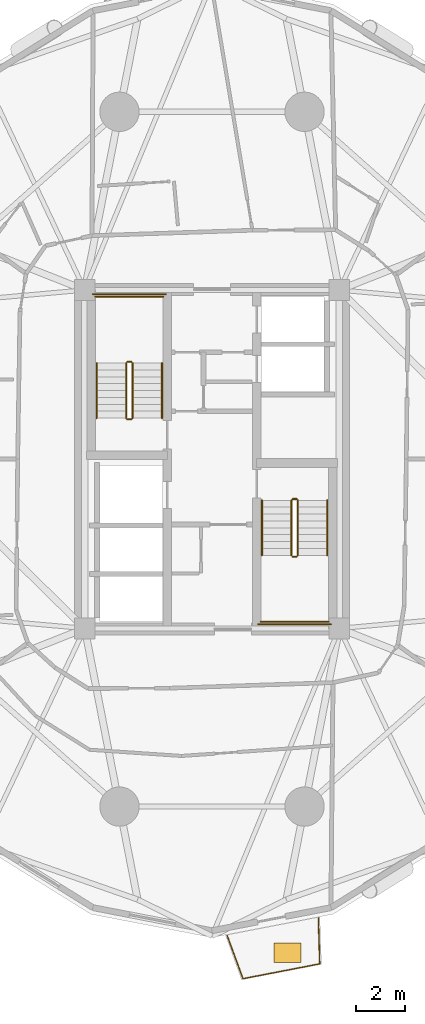
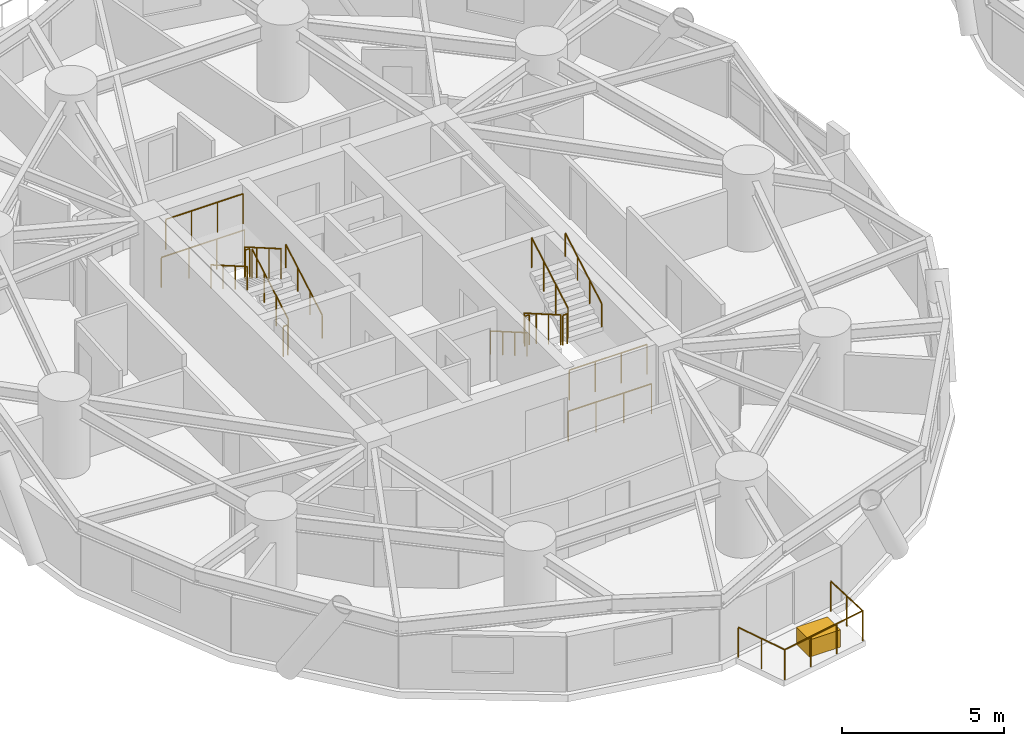
# One storey, part 16 of 18: 17 railings, 1 covering.
"""IFC4 building model written with IfcOpenShell, lengths in metres."""

import ifcopenshell
import ifcopenshell.guid

model = None  # the IFC model being written
_history = None  # IfcOwnerHistory: only IFC2X3 demands one
_inside = {}  # id of a spatial element -> (the spatial element, [elements in it])
_under = {}  # id of a project, library or spatial element -> (it, [spatial elements below it])
_declared = {}  # id of a project -> (the project, [libraries it declares])
_typed = {}  # id of a type object -> (the type object, [elements of that type])
_made_of = {}  # id of a material, layer set ... -> (it, [elements and type objects made of it])


def new_model(schema):
    """Start an empty IFC model of exactly this schema.

    Asked for "IFC4X3", IfcOpenShell would pick the latest addendum, in which some entities
    have other attributes; the version numbers below select the first issue.
    IFC2X3 requires an IfcOwnerHistory on every rooted entity: one is made here for all.
    """
    global model, _history
    if schema == "IFC4X3":
        model = ifcopenshell.file(schema_version=(4, 3, 0, 0))
    else:
        model = ifcopenshell.file(schema=schema)
    _inside.clear()
    _under.clear()
    _declared.clear()
    _typed.clear()
    _made_of.clear()
    _history = None
    if model.schema == "IFC2X3":
        org = make("IfcOrganization", Name="unknown")
        user = make(
            "IfcPersonAndOrganization",
            ThePerson=make("IfcPerson", FamilyName="unknown"),
            TheOrganization=org,
        )
        app = make(
            "IfcApplication",
            ApplicationDeveloper=org,
            Version="unknown",
            ApplicationFullName="unknown",
            ApplicationIdentifier="unknown",
        )
        _history = make(
            "IfcOwnerHistory",
            OwningUser=user,
            OwningApplication=app,
            ChangeAction="ADDED",
            CreationDate=0,
        )
    return model


def make(cls, **values):
    """One entity of the class cls with the attributes given. An attribute that is None is left unset."""
    return model.create_entity(
        cls, **{name: value for name, value in values.items() if value is not None}
    )


def rooted(cls, **values):
    """An entity with a GlobalId (a new one), such as an element, a storey or a relation."""
    return make(cls, GlobalId=ifcopenshell.guid.new(), OwnerHistory=_history, **values)


def si_unit(unit_type, name, prefix=None):
    """IfcSIUnit, for example si_unit("LENGTHUNIT", "METRE", prefix="MILLI")."""
    return make("IfcSIUnit", UnitType=unit_type, Prefix=prefix, Name=name)


def assignment(units):
    """IfcUnitAssignment: the units of a project."""
    return None if units is None else make("IfcUnitAssignment", Units=units)


def point(xyz):
    """IfcCartesianPoint."""
    return None if xyz is None else make("IfcCartesianPoint", Coordinates=xyz)


def direction(xyz):
    """IfcDirection."""
    return None if xyz is None else make("IfcDirection", DirectionRatios=xyz)


def frame(location, z_axis=None, x_axis=None):
    """IfcAxis2Placement3D, a coordinate frame: its origin and axes. An axis left out is left unset."""
    return make(
        "IfcAxis2Placement3D",
        Location=point(location),
        Axis=direction(z_axis),
        RefDirection=direction(x_axis),
    )


def frame_2d(location, x_axis=None):
    """IfcAxis2Placement2D, a coordinate frame in the plane: its origin and x axis."""
    return make(
        "IfcAxis2Placement2D", Location=point(location), RefDirection=direction(x_axis)
    )


def origin():
    """The frame at (0, 0, 0) with its axes left unset."""
    return frame((0.0, 0.0, 0.0))


def origin_2d():
    """The frame at (0, 0) in the plane with its x axis left unset."""
    return frame_2d((0.0, 0.0))


def place(relative_to, where):
    """IfcLocalPlacement: puts the frame where relative to a parent placement (None: the world)."""
    return make(
        "IfcLocalPlacement", PlacementRelTo=relative_to, RelativePlacement=where
    )


def context(
    kind, dimensions, precision=None, world=None, true_north=None, identifier=None
):
    """IfcGeometricRepresentationContext, for example the 3D "Model" context."""
    return make(
        "IfcGeometricRepresentationContext",
        ContextIdentifier=identifier,
        ContextType=kind,
        CoordinateSpaceDimension=dimensions,
        Precision=precision,
        WorldCoordinateSystem=world,
        TrueNorth=true_north,
    )


def subcontext(parent, identifier, kind, view, scale=None):
    """IfcGeometricRepresentationSubContext, for example "Body" below "Model"."""
    return make(
        "IfcGeometricRepresentationSubContext",
        ContextIdentifier=identifier,
        ContextType=kind,
        ParentContext=parent,
        TargetScale=scale,
        TargetView=view,
    )


def project(units=None, contexts=None):
    """IfcProject with its units and contexts."""
    return rooted(
        "IfcProject",
        Name="project",
        RepresentationContexts=contexts,
        UnitsInContext=assignment(units),
    )


def spatial(cls, under=None, at=None, **own):
    """A site, building, storey or space (cls), placed at a placement, below another one or the project."""
    s = rooted(cls, ObjectPlacement=at, **own)
    if under is not None:
        _under.setdefault(under.id(), (under, []))[1].append(s)
    return s


def profile(cls, at=None, kind="AREA", **sizes):
    """A parametric profile (cls). Its sizes go by their IFC names, for example OverallWidth=200.0."""
    return make(cls, ProfileType=kind, Position=at, **sizes)


def rectangle(**sizes):
    """IfcRectangleProfileDef."""
    return profile("IfcRectangleProfileDef", **sizes)


def circle(**sizes):
    """IfcCircleProfileDef."""
    return profile("IfcCircleProfileDef", **sizes)


def extrude(swept, where, along, depth):
    """IfcExtrudedAreaSolid: the profile swept, set in the frame where, extruded along a direction by depth."""
    return make(
        "IfcExtrudedAreaSolid",
        SweptArea=swept,
        Position=where,
        ExtrudedDirection=direction(along),
        Depth=depth,
    )


def shape(context_of_items, identifier, shape_type, items):
    """IfcShapeRepresentation: the items that make up one representation, for example the "Body"."""
    return make(
        "IfcShapeRepresentation",
        ContextOfItems=context_of_items,
        RepresentationIdentifier=identifier,
        RepresentationType=shape_type,
        Items=items,
    )


def source(mapping_origin, context_of_items, identifier, shape_type, items):
    """IfcRepresentationMap: a shape defined once, which mapped items show again and again."""
    return make(
        "IfcRepresentationMap",
        MappingOrigin=mapping_origin,
        MappedRepresentation=shape(context_of_items, identifier, shape_type, items),
    )


def transform(
    local_origin,
    x_axis=None,
    y_axis=None,
    z_axis=None,
    scale=None,
    scale2=None,
    scale3=None,
    uniform=True,
):
    """IfcCartesianTransformationOperator3D, or its non-uniform kind. x_axis, y_axis, z_axis: its Axis1, 2, 3."""
    if uniform:
        return make(
            "IfcCartesianTransformationOperator3D",
            Axis1=direction(x_axis),
            Axis2=direction(y_axis),
            LocalOrigin=point(local_origin),
            Scale=scale,
            Axis3=direction(z_axis),
        )
    return make(
        "IfcCartesianTransformationOperator3DnonUniform",
        Axis1=direction(x_axis),
        Axis2=direction(y_axis),
        LocalOrigin=point(local_origin),
        Scale=scale,
        Axis3=direction(z_axis),
        Scale2=scale2,
        Scale3=scale3,
    )


def mapped(mapping_source, mapping_target):
    """IfcMappedItem: shows the shape of a source again, moved by a transform."""
    return make(
        "IfcMappedItem", MappingSource=mapping_source, MappingTarget=mapping_target
    )


def material(Name=None, Category=None):
    """IfcMaterial."""
    return make("IfcMaterial", Name=Name, Category=Category)


def layer(
    of_material, thickness, ventilated=None, Name=None, Category=None, Priority=None
):
    """IfcMaterialLayer: one layer of a wall or slab, of a material (None: an air gap)."""
    return make(
        "IfcMaterialLayer",
        Material=of_material,
        LayerThickness=thickness,
        IsVentilated=ventilated,
        Name=Name,
        Category=Category,
        Priority=Priority,
    )


def layer_set(layers, Name=None):
    """IfcMaterialLayerSet."""
    return make("IfcMaterialLayerSet", MaterialLayers=layers, LayerSetName=Name)


def made_of(thing, what):
    """Note that an element or type object is made of a material, layer set ...; save() writes the relation."""
    if what is not None:
        _made_of.setdefault(what.id(), (what, []))[1].append(thing)
    return thing


def type_object(cls, material=None, **own):
    """A type object (cls), such as IfcWallType, which elements share."""
    return made_of(rooted(cls, **own), material)


def element(
    cls,
    number,
    at=None,
    inside=None,
    cuts=None,
    type_object=None,
    material=None,
    context=None,
    identifier="Body",
    shape_type=None,
    held_by="IfcProductDefinitionShape",
    body=None,
    shapes=None,
    **own,
):
    """One element of the class cls, such as IfcWall. Its Tag is "e" and its number.

    at: its placement. inside: the storey or other place that contains it. cuts: it is an
    opening in that element (IfcRelVoidsElement). A single representation is given by context,
    identifier, shape_type and body (its items); several are given by shapes. held_by: the class
    of the entity that holds the representations. save() writes the other relations.
    """
    e = rooted(cls, Tag="e%d" % number, ObjectPlacement=at, **own)
    if body is not None:
        shapes = [shape(context, identifier, shape_type, body)]
    if shapes is not None:
        e.Representation = make(held_by, Representations=shapes)
    if inside is not None:
        _inside.setdefault(inside.id(), (inside, []))[1].append(e)
    if cuts is not None:
        rooted(
            "IfcRelVoidsElement", RelatingBuildingElement=cuts, RelatedOpeningElement=e
        )
    if type_object is not None:
        _typed.setdefault(type_object.id(), (type_object, []))[1].append(e)
    return made_of(e, material)


def aggregate(whole, parts):
    """IfcRelAggregates: a whole, such as a stair, and the parts it consists of."""
    return rooted("IfcRelAggregates", RelatingObject=whole, RelatedObjects=parts)


def save(model, path):
    """Write the relations noted so far, then the file.

    IfcRelAggregates (storeys below a building ...), IfcRelContainedInSpatialStructure (elements
    in a storey), IfcRelDefinesByType, IfcRelAssociatesMaterial and IfcRelDeclares: one each for
    every whole, place, type object, material and project.
    """
    for whole, parts in _under.values():
        aggregate(whole, parts)
    for where, things in _inside.values():
        rooted(
            "IfcRelContainedInSpatialStructure",
            RelatedElements=things,
            RelatingStructure=where,
        )
    for kind, things in _typed.values():
        rooted("IfcRelDefinesByType", RelatedObjects=things, RelatingType=kind)
    for what, things in _made_of.values():
        rooted("IfcRelAssociatesMaterial", RelatedObjects=things, RelatingMaterial=what)
    for by, libraries in _declared.values():
        rooted("IfcRelDeclares", RelatingContext=by, RelatedDefinitions=libraries)
    model.write(path)


model = new_model("IFC4")

# Units and contexts
model_context = context("Model", 3, precision=1e-05, world=origin(), true_north=direction((0.0, 1.0)))
body_context = subcontext(model_context, "Body", "Model", "MODEL_VIEW")
ifc_project = project(units=[si_unit("LENGTHUNIT", "METRE"), si_unit("AREAUNIT", "SQUARE_METRE"), si_unit("VOLUMEUNIT", "CUBIC_METRE"), si_unit("PLANEANGLEUNIT", "RADIAN"), si_unit("MASSUNIT", "GRAM", prefix="KILO")], contexts=[model_context])

# Site, building, storey
site_placement = place(None, origin())
site = spatial("IfcSite", under=ifc_project, at=site_placement, CompositionType="ELEMENT")
building_placement = place(site_placement, origin())
building = spatial("IfcBuilding", under=site, at=building_placement, Name="Cununo Teusaquillo Station Towers", CompositionType="ELEMENT")
storey_placement = place(building_placement, frame((0.0, 0.0, 51.10009765625)))
storey = spatial("IfcBuildingStorey", under=building, at=storey_placement, Name="L15", CompositionType="ELEMENT", Elevation=51.10009765625)

# Railings
ifc_material_1 = material(Name="Anodised dark bronze aluminium EN AW-6063-T6", Category="aluminium")
railing_type_1 = type_object("IfcRailingType", Name="RL-EXT-GUARD", PredefinedType="GUARDRAIL", material=ifc_material_1)
railing_1_placement = place(storey_placement, frame((20.82373046875, 5.844482421875, 0.0)))
element("IfcRailing", 1, at=railing_1_placement, inside=storey, type_object=railing_type_1, Name="L15 Tower A Balcony Guardrail C15", PredefinedType="GUARDRAIL", context=body_context, shape_type="SweptSolid", body=[
    extrude(circle(Radius=0.02392578125, at=origin_2d()), frame((0.0, 0.0, 1.1259765625), z_axis=(0.030654001707, -0.999530055666, 0.0), x_axis=(0.999530055666, 0.030654001707, 0.0)), (0.0, 0.0, 1.0), 1.86376953125),
    extrude(circle(Radius=0.02392578125, at=origin_2d()), frame((0.05712890625, -1.86279296875, 1.1259765625), z_axis=(-0.981832956512, -0.189747320158, 0.0), x_axis=(0.189747320158, -0.981832956512, 0.0)), (0.0, 0.0, 1.0), 3.179443359375),
    extrude(circle(Radius=0.02392578125, at=origin_2d()), frame((-3.064453125, -2.466064453125, 1.1259765625), z_axis=(-0.343992902358, 0.938972248326, 0.0), x_axis=(-0.938972248326, -0.343992902358, 0.0)), (0.0, 0.0, 1.0), 1.86376953125),
    extrude(circle(Radius=0.02099609375, at=origin_2d()), origin(), (0.0, 0.0, 1.0), 1.101806640625),
    extrude(circle(Radius=0.02099609375, at=origin_2d()), frame((0.028564453125, -0.931396484375, 0.0)), (0.0, 0.0, 1.0), 1.101806640625),
    extrude(circle(Radius=0.02099609375, at=origin_2d()), frame((0.05712890625, -1.86279296875, 0.0)), (0.0, 0.0, 1.0), 1.101806640625),
    extrude(circle(Radius=0.02099609375, at=origin_2d()), frame((-0.9833984375, -2.06396484375, 0.0)), (0.0, 0.0, 1.0), 1.101806640625),
    extrude(circle(Radius=0.02099609375, at=origin_2d()), frame((-2.02392578125, -2.264892578125, 0.0)), (0.0, 0.0, 1.0), 1.101806640625),
    extrude(circle(Radius=0.02099609375, at=origin_2d()), frame((-3.064453125, -2.466064453125, 0.0)), (0.0, 0.0, 1.0), 1.101806640625),
    extrude(circle(Radius=0.02099609375, at=origin_2d()), frame((-3.385009765625, -1.591064453125, 0.0)), (0.0, 0.0, 1.0), 1.101806640625),
    extrude(circle(Radius=0.02099609375, at=origin_2d()), frame((-3.70556640625, -0.716064453125, 0.0)), (0.0, 0.0, 1.0), 1.101806640625),
])
ifc_material_2 = material(Name="Steel EN 10025-2 S355J2", Category="steel")
railing_type_2 = type_object("IfcRailingType", Name="RL-INT-GUARD", PredefinedType="GUARDRAIL", material=ifc_material_2)
railing_2_placement = place(storey_placement, frame((13.27001953125, 26.169921875, 0.16162109375)))
element("IfcRailing", 2, at=railing_2_placement, inside=storey, type_object=railing_type_2, Name="L15 ST-T1-1 stair guard 1", PredefinedType="GUARDRAIL", context=body_context, shape_type="SweptSolid", body=[
    extrude(circle(Radius=0.02392578125, at=origin_2d()), frame((0.0, 0.0, 1.1259765625), z_axis=(0.0, 0.866033117094, 0.499986639918), x_axis=(-1.0, 0.0, 0.0)), (0.0, 0.0, 1.0), 2.58642578125),
    extrude(circle(Radius=0.02099609375, at=origin_2d()), origin(), (0.0, 0.0, 1.0), 1.101806640625),
    extrude(circle(Radius=0.02099609375, at=origin_2d()), frame((0.0, 0.74658203125, 0.43115234375)), (0.0, 0.0, 1.0), 1.101806640625),
    extrude(circle(Radius=0.02099609375, at=origin_2d()), frame((0.0, 1.493408203125, 0.862060546875)), (0.0, 0.0, 1.0), 1.101806640625),
    extrude(circle(Radius=0.02099609375, at=origin_2d()), frame((0.0, 2.239990234375, 1.293212890625)), (0.0, 0.0, 1.0), 1.101806640625),
])
railing_3_placement = place(storey_placement, frame((13.219970703125, 28.4599609375, 1.454833984375)))
element("IfcRailing", 3, at=railing_3_placement, inside=storey, type_object=railing_type_2, Name="L15 ST-T1-1 stair guard 2", PredefinedType="GUARDRAIL", context=body_context, shape_type="SweptSolid", body=[
    extrude(circle(Radius=0.02392578125, at=origin_2d()), frame((0.0, 0.0, 1.1259765625), z_axis=(-1.0, 0.0, 0.0), x_axis=(0.0, -1.0, 0.0)), (0.0, 0.0, 1.0), 0.159912109375),
    extrude(circle(Radius=0.02099609375, at=origin_2d()), origin(), (0.0, 0.0, 1.0), 1.101806640625),
    extrude(circle(Radius=0.02099609375, at=origin_2d()), frame((-0.159912109375, 0.0, 0.0)), (0.0, 0.0, 1.0), 1.101806640625),
])
railing_4_placement = place(storey_placement, frame((14.52001953125, 31.110107421875, 1.454833984375)))
element("IfcRailing", 4, at=railing_4_placement, inside=storey, type_object=railing_type_2, Name="L15 ST-T1-1 stair guard 3", PredefinedType="GUARDRAIL", context=body_context, shape_type="SweptSolid", body=[
    extrude(circle(Radius=0.02392578125, at=origin_2d()), frame((0.0, 0.0, 1.1259765625), z_axis=(-1.0, 0.0, 0.0), x_axis=(0.0, -1.0, 0.0)), (0.0, 0.0, 1.0), 2.760009765625),
    extrude(circle(Radius=0.02099609375, at=origin_2d()), origin(), (0.0, 0.0, 1.0), 1.101806640625),
    extrude(circle(Radius=0.02099609375, at=origin_2d()), frame((-0.919921875, 0.0, 0.0)), (0.0, 0.0, 1.0), 1.101806640625),
    extrude(circle(Radius=0.02099609375, at=origin_2d()), frame((-1.840087890625, 0.0, 0.0)), (0.0, 0.0, 1.0), 1.101806640625),
    extrude(circle(Radius=0.02099609375, at=origin_2d()), frame((-2.760009765625, 0.0, 0.0)), (0.0, 0.0, 1.0), 1.101806640625),
])
railing_5_placement = place(storey_placement, frame((13.010009765625, 28.409912109375, 1.616455078125)))
element("IfcRailing", 5, at=railing_5_placement, inside=storey, type_object=railing_type_2, Name="L15 ST-T1-1 stair guard 4", PredefinedType="GUARDRAIL", context=body_context, shape_type="SweptSolid", body=[
    extrude(circle(Radius=0.02392578125, at=origin_2d()), frame((0.0, 0.0, 1.1259765625), z_axis=(0.0, -0.865992244559, 0.500057429065), x_axis=(1.0, 0.0, 0.0)), (0.0, 0.0, 1.0), 2.586669921875),
    extrude(circle(Radius=0.02099609375, at=origin_2d()), origin(), (0.0, 0.0, 1.0), 1.101806640625),
    extrude(circle(Radius=0.02099609375, at=origin_2d()), frame((0.0, -0.74658203125, 0.43115234375)), (0.0, 0.0, 1.0), 1.101806640625),
    extrude(circle(Radius=0.02099609375, at=origin_2d()), frame((0.0, -1.493408203125, 0.8623046875)), (0.0, 0.0, 1.0), 1.101806640625),
    extrude(circle(Radius=0.02099609375, at=origin_2d()), frame((0.0, -2.239990234375, 1.29345703125)), (0.0, 0.0, 1.0), 1.101806640625),
])
railing_6_placement = place(storey_placement, frame((13.219970703125, 26.1201171875, 0.0)))
element("IfcRailing", 6, at=railing_6_placement, inside=storey, type_object=railing_type_2, Name="L15 ST-T1-1 stair guard 5", PredefinedType="GUARDRAIL", context=body_context, shape_type="SweptSolid", body=[
    extrude(circle(Radius=0.02392578125, at=origin_2d()), frame((0.0, 0.0, 1.1259765625), z_axis=(-1.0, 0.0, 0.0), x_axis=(0.0, -1.0, 0.0)), (0.0, 0.0, 1.0), 0.159912109375),
    extrude(circle(Radius=0.02099609375, at=origin_2d()), origin(), (0.0, 0.0, 1.0), 1.101806640625),
    extrude(circle(Radius=0.02099609375, at=origin_2d()), frame((-0.159912109375, 0.0, 0.0)), (0.0, 0.0, 1.0), 1.101806640625),
])
railing_7_placement = place(storey_placement, frame((14.6201171875, 31.2099609375, 0.0)))
element("IfcRailing", 7, at=railing_7_placement, inside=storey, type_object=railing_type_2, Name="L15 ST-T1-1 stair guard 6", PredefinedType="GUARDRAIL", context=body_context, shape_type="SweptSolid", body=[
    extrude(circle(Radius=0.02392578125, at=origin_2d()), frame((0.0, 0.0, 1.1259765625), z_axis=(-1.0, 0.0, 0.0), x_axis=(0.0, -1.0, 0.0)), (0.0, 0.0, 1.0), 2.960205078125),
    extrude(circle(Radius=0.02099609375, at=origin_2d()), origin(), (0.0, 0.0, 1.0), 1.101806640625),
    extrude(circle(Radius=0.02099609375, at=origin_2d()), frame((-0.98681640625, 0.0, 0.0)), (0.0, 0.0, 1.0), 1.101806640625),
    extrude(circle(Radius=0.02099609375, at=origin_2d()), frame((-1.973388671875, 0.0, 0.0)), (0.0, 0.0, 1.0), 1.101806640625),
    extrude(circle(Radius=0.02099609375, at=origin_2d()), frame((-2.960205078125, 0.0, 0.0)), (0.0, 0.0, 1.0), 1.101806640625),
])
railing_8_placement = place(storey_placement, frame((19.72998046875, 22.830078125, 0.16162109375)))
element("IfcRailing", 8, at=railing_8_placement, inside=storey, type_object=railing_type_2, Name="L15 ST-T1-2 stair guard 1", PredefinedType="GUARDRAIL", context=body_context, shape_type="SweptSolid", body=[
    extrude(circle(Radius=0.02392578125, at=origin_2d()), frame((0.0, 0.0, 1.1259765625), z_axis=(0.0, -0.866033117094, 0.499986639918), x_axis=(1.0, 0.0, 0.0)), (0.0, 0.0, 1.0), 2.58642578125),
    extrude(circle(Radius=0.02099609375, at=origin_2d()), origin(), (0.0, 0.0, 1.0), 1.101806640625),
    extrude(circle(Radius=0.02099609375, at=origin_2d()), frame((0.0, -0.74658203125, 0.43115234375)), (0.0, 0.0, 1.0), 1.101806640625),
    extrude(circle(Radius=0.02099609375, at=origin_2d()), frame((0.0, -1.493408203125, 0.862060546875)), (0.0, 0.0, 1.0), 1.101806640625),
    extrude(circle(Radius=0.02099609375, at=origin_2d()), frame((0.0, -2.239990234375, 1.293212890625)), (0.0, 0.0, 1.0), 1.101806640625),
])
railing_9_placement = place(storey_placement, frame((19.780029296875, 20.5400390625, 1.454833984375)))
element("IfcRailing", 9, at=railing_9_placement, inside=storey, type_object=railing_type_2, Name="L15 ST-T1-2 stair guard 2", PredefinedType="GUARDRAIL", context=body_context, shape_type="SweptSolid", body=[
    extrude(circle(Radius=0.02392578125, at=origin_2d()), frame((0.0, 0.0, 1.1259765625), z_axis=(1.0, 0.0, 0.0), x_axis=(0.0, 1.0, 0.0)), (0.0, 0.0, 1.0), 0.159912109375),
    extrude(circle(Radius=0.02099609375, at=origin_2d()), origin(), (0.0, 0.0, 1.0), 1.101806640625),
    extrude(circle(Radius=0.02099609375, at=origin_2d()), frame((0.159912109375, 0.0, 0.0)), (0.0, 0.0, 1.0), 1.101806640625),
])
railing_10_placement = place(storey_placement, frame((18.47998046875, 17.889892578125, 1.454833984375)))
element("IfcRailing", 10, at=railing_10_placement, inside=storey, type_object=railing_type_2, Name="L15 ST-T1-2 stair guard 3", PredefinedType="GUARDRAIL", context=body_context, shape_type="SweptSolid", body=[
    extrude(circle(Radius=0.02392578125, at=origin_2d()), frame((0.0, 0.0, 1.1259765625), z_axis=(1.0, 0.0, 0.0), x_axis=(0.0, 1.0, 0.0)), (0.0, 0.0, 1.0), 2.760009765625),
    extrude(circle(Radius=0.02099609375, at=origin_2d()), origin(), (0.0, 0.0, 1.0), 1.101806640625),
    extrude(circle(Radius=0.02099609375, at=origin_2d()), frame((0.919921875, 0.0, 0.0)), (0.0, 0.0, 1.0), 1.101806640625),
    extrude(circle(Radius=0.02099609375, at=origin_2d()), frame((1.840087890625, 0.0, 0.0)), (0.0, 0.0, 1.0), 1.101806640625),
    extrude(circle(Radius=0.02099609375, at=origin_2d()), frame((2.760009765625, 0.0, 0.0)), (0.0, 0.0, 1.0), 1.101806640625),
])
railing_11_placement = place(storey_placement, frame((19.989990234375, 20.590087890625, 1.616455078125)))
element("IfcRailing", 11, at=railing_11_placement, inside=storey, type_object=railing_type_2, Name="L15 ST-T1-2 stair guard 4", PredefinedType="GUARDRAIL", context=body_context, shape_type="SweptSolid", body=[
    extrude(circle(Radius=0.02392578125, at=origin_2d()), frame((0.0, 0.0, 1.1259765625), z_axis=(0.0, 0.865992244559, 0.500057429065), x_axis=(-1.0, 0.0, 0.0)), (0.0, 0.0, 1.0), 2.586669921875),
    extrude(circle(Radius=0.02099609375, at=origin_2d()), origin(), (0.0, 0.0, 1.0), 1.101806640625),
    extrude(circle(Radius=0.02099609375, at=origin_2d()), frame((0.0, 0.74658203125, 0.43115234375)), (0.0, 0.0, 1.0), 1.101806640625),
    extrude(circle(Radius=0.02099609375, at=origin_2d()), frame((0.0, 1.493408203125, 0.8623046875)), (0.0, 0.0, 1.0), 1.101806640625),
    extrude(circle(Radius=0.02099609375, at=origin_2d()), frame((0.0, 2.239990234375, 1.29345703125)), (0.0, 0.0, 1.0), 1.101806640625),
])
railing_12_placement = place(storey_placement, frame((19.780029296875, 22.8798828125, 0.0)))
element("IfcRailing", 12, at=railing_12_placement, inside=storey, type_object=railing_type_2, Name="L15 ST-T1-2 stair guard 5", PredefinedType="GUARDRAIL", context=body_context, shape_type="SweptSolid", body=[
    extrude(circle(Radius=0.02392578125, at=origin_2d()), frame((0.0, 0.0, 1.1259765625), z_axis=(1.0, 0.0, 0.0), x_axis=(0.0, 1.0, 0.0)), (0.0, 0.0, 1.0), 0.159912109375),
    extrude(circle(Radius=0.02099609375, at=origin_2d()), origin(), (0.0, 0.0, 1.0), 1.101806640625),
    extrude(circle(Radius=0.02099609375, at=origin_2d()), frame((0.159912109375, 0.0, 0.0)), (0.0, 0.0, 1.0), 1.101806640625),
])
railing_13_placement = place(storey_placement, frame((18.3798828125, 17.7900390625, 0.0)))
element("IfcRailing", 13, at=railing_13_placement, inside=storey, type_object=railing_type_2, Name="L15 ST-T1-2 stair guard 6", PredefinedType="GUARDRAIL", context=body_context, shape_type="SweptSolid", body=[
    extrude(circle(Radius=0.02392578125, at=origin_2d()), frame((0.0, 0.0, 1.1259765625), z_axis=(1.0, 0.0, 0.0), x_axis=(0.0, 1.0, 0.0)), (0.0, 0.0, 1.0), 2.960205078125),
    extrude(circle(Radius=0.02099609375, at=origin_2d()), origin(), (0.0, 0.0, 1.0), 1.101806640625),
    extrude(circle(Radius=0.02099609375, at=origin_2d()), frame((0.98681640625, 0.0, 0.0)), (0.0, 0.0, 1.0), 1.101806640625),
    extrude(circle(Radius=0.02099609375, at=origin_2d()), frame((1.973388671875, 0.0, 0.0)), (0.0, 0.0, 1.0), 1.101806640625),
    extrude(circle(Radius=0.02099609375, at=origin_2d()), frame((2.960205078125, 0.0, 0.0)), (0.0, 0.0, 1.0), 1.101806640625),
])
ifc_material_3 = material(Name="Steel EN 10025-2 S355J2", Category="steel")
railing_type_3 = type_object("IfcRailingType", Name="RL-INT-HRAIL", PredefinedType="HANDRAIL", material=ifc_material_3)
railing_14_placement = place(storey_placement, frame((14.469970703125, 26.169921875, 0.16162109375)))
element("IfcRailing", 14, at=railing_14_placement, inside=storey, type_object=railing_type_3, Name="L15 ST-T1-1 stair handrail 1", PredefinedType="HANDRAIL", context=body_context, shape_type="SweptSolid", body=[
    extrude(circle(Radius=0.02392578125, at=origin_2d()), frame((0.0, 0.0, 0.8759765625), z_axis=(0.0, 0.866033117094, 0.499986639918), x_axis=(-1.0, 0.0, 0.0)), (0.0, 0.0, 1.0), 2.58642578125),
    extrude(circle(Radius=0.02099609375, at=origin_2d()), origin(), (0.0, 0.0, 1.0), 0.851806640625),
    extrude(circle(Radius=0.02099609375, at=origin_2d()), frame((0.0, 0.74658203125, 0.43115234375)), (0.0, 0.0, 1.0), 0.851806640625),
    extrude(circle(Radius=0.02099609375, at=origin_2d()), frame((0.0, 1.493408203125, 0.862060546875)), (0.0, 0.0, 1.0), 0.851806640625),
    extrude(circle(Radius=0.02099609375, at=origin_2d()), frame((0.0, 2.239990234375, 1.293212890625)), (0.0, 0.0, 1.0), 0.851806640625),
])
railing_15_placement = place(storey_placement, frame((11.81005859375, 28.409912109375, 1.616455078125)))
element("IfcRailing", 15, at=railing_15_placement, inside=storey, type_object=railing_type_3, Name="L15 ST-T1-1 stair handrail 2", PredefinedType="HANDRAIL", context=body_context, shape_type="SweptSolid", body=[
    extrude(circle(Radius=0.02392578125, at=origin_2d()), frame((0.0, 0.0, 0.8759765625), z_axis=(0.0, -0.865992244559, 0.500057429065), x_axis=(1.0, 0.0, 0.0)), (0.0, 0.0, 1.0), 2.586669921875),
    extrude(circle(Radius=0.02099609375, at=origin_2d()), origin(), (0.0, 0.0, 1.0), 0.851806640625),
    extrude(circle(Radius=0.02099609375, at=origin_2d()), frame((0.0, -0.74658203125, 0.43115234375)), (0.0, 0.0, 1.0), 0.851806640625),
    extrude(circle(Radius=0.02099609375, at=origin_2d()), frame((0.0, -1.493408203125, 0.8623046875)), (0.0, 0.0, 1.0), 0.851806640625),
    extrude(circle(Radius=0.02099609375, at=origin_2d()), frame((0.0, -2.239990234375, 1.29345703125)), (0.0, 0.0, 1.0), 0.851806640625),
])
railing_16_placement = place(storey_placement, frame((18.530029296875, 22.830078125, 0.16162109375)))
element("IfcRailing", 16, at=railing_16_placement, inside=storey, type_object=railing_type_3, Name="L15 ST-T1-2 stair handrail 1", PredefinedType="HANDRAIL", context=body_context, shape_type="SweptSolid", body=[
    extrude(circle(Radius=0.02392578125, at=origin_2d()), frame((0.0, 0.0, 0.8759765625), z_axis=(0.0, -0.866033117094, 0.499986639918), x_axis=(1.0, 0.0, 0.0)), (0.0, 0.0, 1.0), 2.58642578125),
    extrude(circle(Radius=0.02099609375, at=origin_2d()), origin(), (0.0, 0.0, 1.0), 0.851806640625),
    extrude(circle(Radius=0.02099609375, at=origin_2d()), frame((0.0, -0.74658203125, 0.43115234375)), (0.0, 0.0, 1.0), 0.851806640625),
    extrude(circle(Radius=0.02099609375, at=origin_2d()), frame((0.0, -1.493408203125, 0.862060546875)), (0.0, 0.0, 1.0), 0.851806640625),
    extrude(circle(Radius=0.02099609375, at=origin_2d()), frame((0.0, -2.239990234375, 1.293212890625)), (0.0, 0.0, 1.0), 0.851806640625),
])
railing_17_placement = place(storey_placement, frame((21.18994140625, 20.590087890625, 1.616455078125)))
element("IfcRailing", 17, at=railing_17_placement, inside=storey, type_object=railing_type_3, Name="L15 ST-T1-2 stair handrail 2", PredefinedType="HANDRAIL", context=body_context, shape_type="SweptSolid", body=[
    extrude(circle(Radius=0.02392578125, at=origin_2d()), frame((0.0, 0.0, 0.8759765625), z_axis=(0.0, 0.865992244559, 0.500057429065), x_axis=(-1.0, 0.0, 0.0)), (0.0, 0.0, 1.0), 2.586669921875),
    extrude(circle(Radius=0.02099609375, at=origin_2d()), origin(), (0.0, 0.0, 1.0), 0.851806640625),
    extrude(circle(Radius=0.02099609375, at=origin_2d()), frame((0.0, 0.74658203125, 0.43115234375)), (0.0, 0.0, 1.0), 0.851806640625),
    extrude(circle(Radius=0.02099609375, at=origin_2d()), frame((0.0, 1.493408203125, 0.8623046875)), (0.0, 0.0, 1.0), 0.851806640625),
    extrude(circle(Radius=0.02099609375, at=origin_2d()), frame((0.0, 2.239990234375, 1.29345703125)), (0.0, 0.0, 1.0), 0.851806640625),
])

# Covering
ifc_material_4 = material(Name="Architectural GRC planter shell and engineered root-zone substrate", Category="concrete")
ifc_layer = layer(ifc_material_4, 0.64990234375)
ifc_layer_set = layer_set([ifc_layer], Name="Architectural GRC planter shell and engineered root-zone substrate")
covering_type = type_object("IfcCoveringType", Name="COV-TREE-PLANTER", PredefinedType="CLADDING", material=ifc_layer_set)
shared_shape = source(origin(), body_context, "Body", "SweptSolid", [
    extrude(rectangle(XDim=1.10009765625, YDim=0.800048828125, at=origin_2d()), origin(), (0.0, 0.0, 1.0), 0.64990234375),
])
covering_placement = place(storey_placement, frame((19.56640625, 4.43408203125, 0.0), z_axis=(0.0, 0.0, 1.0), x_axis=(1.0, 0.0, 0.0)))
element("IfcCovering", 18, at=covering_placement, inside=storey, type_object=covering_type, Name="L15 Tower A Balcony Tree PLANTER C15", PredefinedType="CLADDING", context=body_context, shape_type="MappedRepresentation", body=[
    mapped(shared_shape, transform((0.0, 0.0, 0.0), x_axis=(1.0, 0.0, 0.0), y_axis=(0.0, 1.0, 0.0), z_axis=(0.0, 0.0, 1.0), scale=1.0)),
])

save(model, "model.ifc")
